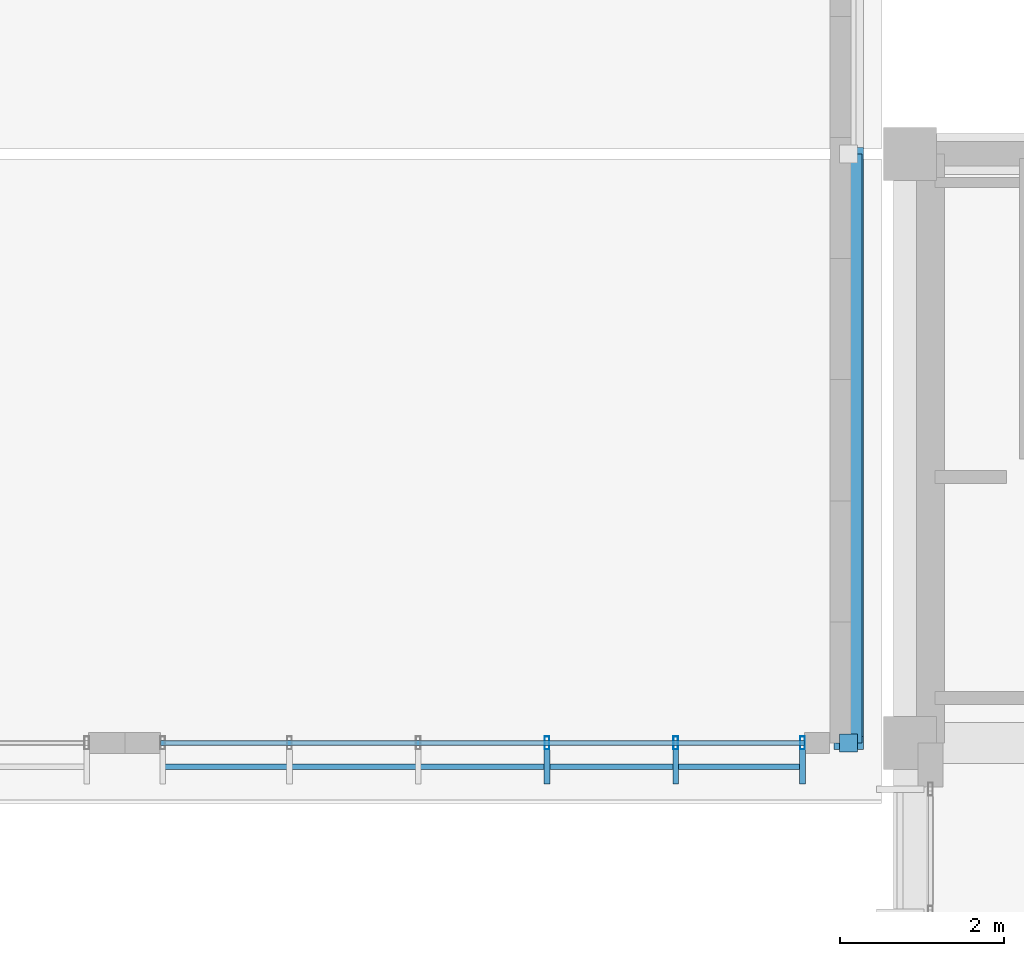
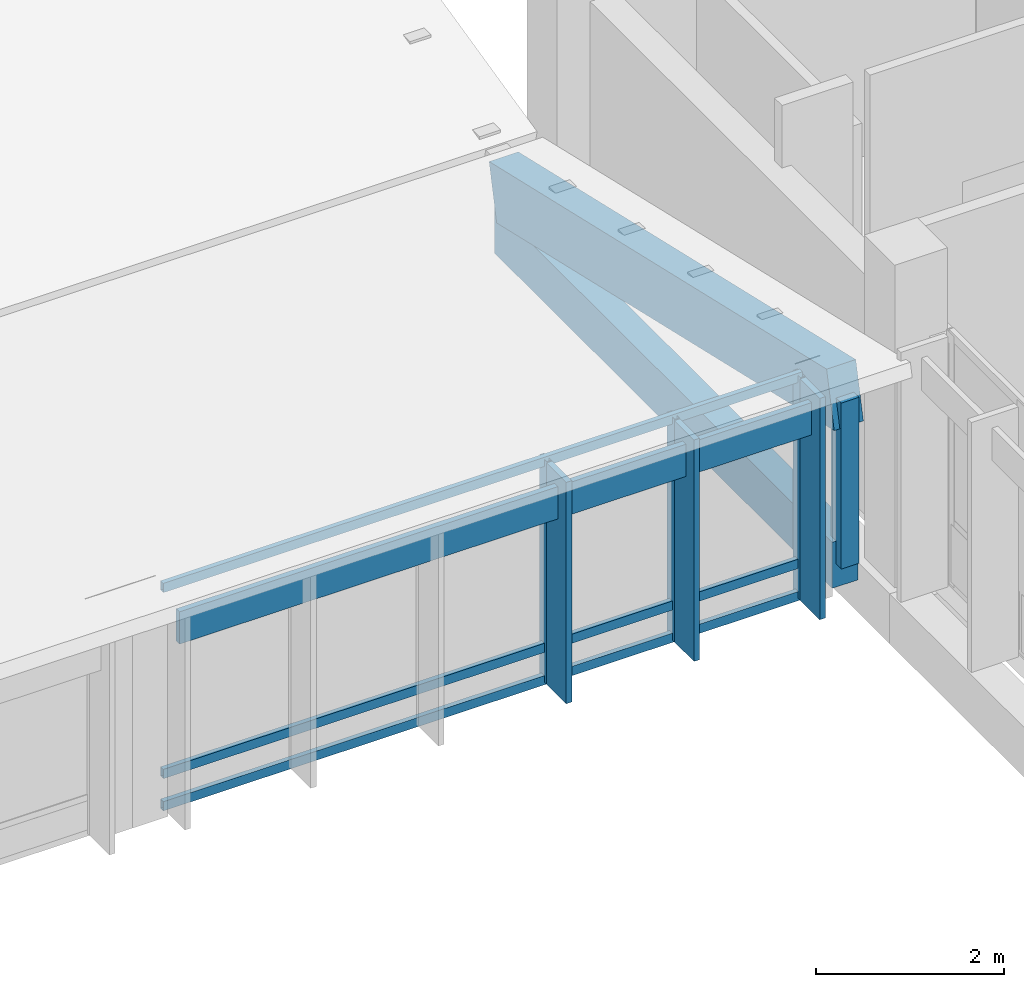
# One storey, part 55 of 182: 13 members, 1 element without a shape of its own.
"""IFC4 building model written with IfcOpenShell, lengths in metres."""

from ifc_helpers import new_model, si_unit, direction, frame, origin, origin_2d, place, context, subcontext, project, spatial, rectangle, hollow_rectangle, extrude, material, material_profile, profile_set, type_object, element, aggregate, save


model = new_model("IFC4")

# Units and contexts
model_context = context("Model", 3, precision=1e-05, world=origin(), true_north=direction((0.0, 1.0)))
body_context = subcontext(model_context, "Body", "Model", "MODEL_VIEW")
ifc_project = project(units=[si_unit("LENGTHUNIT", "METRE"), si_unit("AREAUNIT", "SQUARE_METRE"), si_unit("VOLUMEUNIT", "CUBIC_METRE"), si_unit("PLANEANGLEUNIT", "RADIAN"), si_unit("MASSUNIT", "GRAM", prefix="KILO")], contexts=[model_context])

# Site, building, storey
site_placement = place(None, origin())
site = spatial("IfcSite", under=ifc_project, at=site_placement, CompositionType="ELEMENT")
building_placement = place(site_placement, origin())
building = spatial("IfcBuilding", under=site, at=building_placement, Name="Chiffa Square Polytechnic", CompositionType="ELEMENT")
storey_placement = place(building_placement, frame((0.0, 0.0, 9.60009765625)))
storey = spatial("IfcBuildingStorey", under=building, at=storey_placement, Name="L02", CompositionType="ELEMENT", Elevation=9.60009765625)

# Curtain wall, members
ifc_material_1 = material(Name="Aluminium EN AW-6060 T66 and glulam shading", Category="wood")
curtain_wall_type = type_object("IfcCurtainWallType", Name="CW-VERT-540X440", PredefinedType="USERDEFINED", material=ifc_material_1)
curtain_wall_placement = place(storey_placement, origin())
curtain_wall = element("IfcCurtainWall", 1, at=curtain_wall_placement, inside=storey, type_object=curtain_wall_type, Name="Curtain wall CW-V4-CLRS-07", ObjectType="CURTAIN WALL", PredefinedType="USERDEFINED")
ifc_material_2 = material(Name="Aluminium EN AW-6060 T66", Category="aluminium")
ifc_material_profile_1 = material_profile(ifc_material_2, hollow_rectangle(XDim=0.06005859375, YDim=0.159912109375, WallThickness=0.00390625, at=origin_2d()), Name="ALU 60x160x4")
ifc_profile_set_1 = profile_set([ifc_material_profile_1], Name="Aluminium EN AW-6060 T66")
member_type_1 = type_object("IfcMemberType", Name="CWM-ALU-65X150", PredefinedType="MULLION", material=ifc_profile_set_1)
member_1_placement = place(storey_placement, frame((107.761962890625, 21.60009765625, 0.039794921875), z_axis=(0.0, 0.0, 1.0), x_axis=(1.0, 0.0, 0.0)))
member_1 = element("IfcMember", 2, at=member_1_placement, type_object=member_type_1, Name="Curtain wall mullion CW-V4-CLRS-07-M03", PredefinedType="MULLION", context=body_context, shape_type="SweptSolid", body=[
    extrude(hollow_rectangle(XDim=0.06005859375, YDim=0.159912109375, WallThickness=0.00390625, at=origin_2d()), origin(), (0.0, 0.0, 1.0), 2.902099609375),
])
member_2_placement = place(storey_placement, frame((109.3359375, 21.60009765625, 0.039794921875), z_axis=(0.0, 0.0, 1.0), x_axis=(1.0, 0.0, 0.0)))
member_2 = element("IfcMember", 3, at=member_2_placement, type_object=member_type_1, Name="Curtain wall mullion CW-V4-CLRS-07-M04", PredefinedType="MULLION", context=body_context, shape_type="SweptSolid", body=[
    extrude(hollow_rectangle(XDim=0.06005859375, YDim=0.159912109375, WallThickness=0.00390625, at=origin_2d()), origin(), (0.0, 0.0, 1.0), 2.902099609375),
])
member_3_placement = place(storey_placement, frame((110.885009765625, 21.60009765625, 0.039794921875), z_axis=(0.0, 0.0, 1.0), x_axis=(1.0, 0.0, 0.0)))
member_3 = element("IfcMember", 4, at=member_3_placement, type_object=member_type_1, Name="Curtain wall mullion CW-V4-CLRS-07-M05", PredefinedType="MULLION", context=body_context, shape_type="SweptSolid", body=[
    extrude(hollow_rectangle(XDim=0.06005859375, YDim=0.159912109375, WallThickness=0.00390625, at=origin_2d()), origin(), (0.0, 0.0, 1.0), 2.902099609375),
])
ifc_material_3 = material(Name="Glulam GL28h", Category="wood")
ifc_material_profile_2 = material_profile(ifc_material_3, rectangle(XDim=0.070068359375, YDim=0.419921875, at=origin_2d()), Name="GL28h 70x420")
ifc_profile_set_2 = profile_set([ifc_material_profile_2], Name="Glulam GL28h")
member_type_2 = type_object("IfcMemberType", Name="CWM-GL-70X420", PredefinedType="MULLION", material=ifc_profile_set_2)
member_4_placement = place(storey_placement, frame((107.761962890625, 21.30810546875, 0.0498046875), z_axis=(0.0, 0.0, 1.0), x_axis=(1.0, 0.0, 0.0)))
member_4 = element("IfcMember", 5, at=member_4_placement, type_object=member_type_2, Name="Exterior glulam solar fin CW-V4-CLRS-07-FN03", PredefinedType="MULLION", context=body_context, shape_type="SweptSolid", body=[
    extrude(rectangle(XDim=0.070068359375, YDim=0.419921875, at=origin_2d()), origin(), (0.0, 0.0, 1.0), 2.882080078125),
])
member_5_placement = place(storey_placement, frame((109.3359375, 21.30810546875, 0.0498046875), z_axis=(0.0, 0.0, 1.0), x_axis=(1.0, 0.0, 0.0)))
member_5 = element("IfcMember", 6, at=member_5_placement, type_object=member_type_2, Name="Exterior glulam solar fin CW-V4-CLRS-07-FN04", PredefinedType="MULLION", context=body_context, shape_type="SweptSolid", body=[
    extrude(rectangle(XDim=0.070068359375, YDim=0.419921875, at=origin_2d()), origin(), (0.0, 0.0, 1.0), 2.882080078125),
])
member_6_placement = place(storey_placement, frame((110.885009765625, 21.30810546875, 0.0498046875), z_axis=(0.0, 0.0, 1.0), x_axis=(1.0, 0.0, 0.0)))
member_6 = element("IfcMember", 7, at=member_6_placement, type_object=member_type_2, Name="Exterior glulam solar fin CW-V4-CLRS-07-FN05", PredefinedType="MULLION", context=body_context, shape_type="SweptSolid", body=[
    extrude(rectangle(XDim=0.070068359375, YDim=0.419921875, at=origin_2d()), origin(), (0.0, 0.0, 1.0), 2.882080078125),
])
ifc_material_profile_3 = material_profile(ifc_material_2, hollow_rectangle(XDim=0.06005859375, YDim=0.1201171875, WallThickness=0.00390625, at=origin_2d()), Name="ALU 60x120x4")
ifc_profile_set_3 = profile_set([ifc_material_profile_3], Name="Aluminium EN AW-6060 T66")
member_type_3 = type_object("IfcMemberType", Name="CWT-ALU-65X120", PredefinedType="USERDEFINED", material=ifc_profile_set_3)
member_7_placement = place(storey_placement, frame((103.0380859375, 21.60009765625, 0.06982421875), z_axis=(1.0, 0.0, 0.0), x_axis=(0.0, 1.0, 0.0)))
member_7 = element("IfcMember", 8, at=member_7_placement, type_object=member_type_3, Name="Curtain wall transom CW-V4-CLRS-07-T01", ObjectType="TRANSOM", PredefinedType="USERDEFINED", context=body_context, shape_type="SweptSolid", body=[
    extrude(hollow_rectangle(XDim=0.06005859375, YDim=0.1201171875, WallThickness=0.00390625, at=origin_2d()), origin(), (0.0, 0.0, 1.0), 7.8740234375),
])
member_8_placement = place(storey_placement, frame((103.0380859375, 21.60009765625, 0.489990234375), z_axis=(1.0, 0.0, 0.0), x_axis=(0.0, 1.0, 0.0)))
member_8 = element("IfcMember", 9, at=member_8_placement, type_object=member_type_3, Name="Curtain wall transom CW-V4-CLRS-07-T02", ObjectType="TRANSOM", PredefinedType="USERDEFINED", context=body_context, shape_type="SweptSolid", body=[
    extrude(hollow_rectangle(XDim=0.06005859375, YDim=0.1201171875, WallThickness=0.00390625, at=origin_2d()), origin(), (0.0, 0.0, 1.0), 7.8740234375),
])
member_9_placement = place(storey_placement, frame((103.0380859375, 21.60009765625, 2.911865234375), z_axis=(1.0, 0.0, 0.0), x_axis=(0.0, 1.0, 0.0)))
member_9 = element("IfcMember", 10, at=member_9_placement, type_object=member_type_3, Name="Curtain wall transom CW-V4-CLRS-07-T03", ObjectType="TRANSOM", PredefinedType="USERDEFINED", context=body_context, shape_type="SweptSolid", body=[
    extrude(hollow_rectangle(XDim=0.06005859375, YDim=0.1201171875, WallThickness=0.00390625, at=origin_2d()), origin(), (0.0, 0.0, 1.0), 7.8740234375),
])
ifc_material_profile_4 = material_profile(ifc_material_3, rectangle(XDim=0.070068359375, YDim=0.419921875, at=origin_2d()), Name="GL28h 70x420")
ifc_profile_set_4 = profile_set([ifc_material_profile_4], Name="Glulam GL28h")
member_type_4 = type_object("IfcMemberType", Name="CWT-GL-70X420", PredefinedType="USERDEFINED", material=ifc_profile_set_4)
member_10_placement = place(storey_placement, frame((103.06494140625, 21.30810546875, 2.56201171875), z_axis=(1.0, 0.0, 0.0), x_axis=(0.0, 1.0, 0.0)))
member_10 = element("IfcMember", 11, at=member_10_placement, type_object=member_type_4, Name="Exterior glulam brise-soleil CW-V4-CLRS-07-BS01", ObjectType="TRANSOM", PredefinedType="USERDEFINED", context=body_context, shape_type="SweptSolid", body=[
    extrude(rectangle(XDim=0.070068359375, YDim=0.419921875, at=origin_2d()), origin(), (0.0, 0.0, 1.0), 7.820068359375),
])
aggregate(curtain_wall, [member_1, member_4, member_2, member_5, member_3, member_6, member_7, member_8, member_9, member_10])

# Members
ifc_material_4 = material(Name="Glulam GL32c", Category="wood")
ifc_material_profile_5 = material_profile(ifc_material_4, rectangle(XDim=0.320068359375, YDim=0.60009765625, at=origin_2d()), Name="GL32c 320x600")
ifc_profile_set_5 = profile_set([ifc_material_profile_5], Name="Glulam GL32c")
member_type_5 = type_object("IfcMemberType", Name="MEM-CHORD-GL320", PredefinedType="CHORD", material=ifc_profile_set_5)
member_11_placement = place(storey_placement, frame((111.449951171875, 21.60009765625, 0.2998046875), z_axis=(0.0, 1.0, 0.0), x_axis=(-1.0, 0.0, 0.0)))
element("IfcMember", 12, at=member_11_placement, inside=storey, type_object=member_type_5, Name="Refectory butterfly bottom chord TCB-V4-S08", PredefinedType="CHORD", context=body_context, shape_type="SweptSolid", body=[
    extrude(rectangle(XDim=0.320068359375, YDim=0.60009765625, at=origin_2d()), origin(), (0.0, 0.0, 1.0), 7.199951171875),
])
ifc_material_profile_6 = material_profile(ifc_material_4, rectangle(XDim=0.360107421875, YDim=0.719970703125, at=origin_2d()), Name="GL32c 360x720")
ifc_profile_set_6 = profile_set([ifc_material_profile_6], Name="Glulam GL32c")
member_type_6 = type_object("IfcMemberType", Name="MEM-CHORD-GL360", PredefinedType="CHORD", material=ifc_profile_set_6)
member_12_placement = place(storey_placement, frame((111.449951171875, 21.60009765625, 2.4619140625), z_axis=(0.0, 0.974373930506, -0.224934309412), x_axis=(-1.0, 0.0, 0.0)))
element("IfcMember", 13, at=member_12_placement, inside=storey, type_object=member_type_6, Name="Refectory butterfly top chord TCT-V4-S08", PredefinedType="CHORD", context=body_context, shape_type="SweptSolid", body=[
    extrude(rectangle(XDim=0.360107421875, YDim=0.719970703125, at=origin_2d()), origin(), (0.0, 0.0, 1.0), 7.389404296875),
])
ifc_material_profile_7 = material_profile(ifc_material_3, rectangle(XDim=0.219970703125, YDim=0.219970703125, at=origin_2d()), Name="GL28h 220x220")
ifc_profile_set_7 = profile_set([ifc_material_profile_7], Name="Glulam GL28h")
member_type_7 = type_object("IfcMemberType", Name="MEM-WEB-GL220", PredefinedType="MEMBER", material=ifc_profile_set_7)
member_13_placement = place(storey_placement, frame((111.449951171875, 21.60009765625, 0.2998046875), z_axis=(0.0, 0.0, 1.0), x_axis=(1.0, 0.0, 0.0)))
element("IfcMember", 14, at=member_13_placement, inside=storey, type_object=member_type_7, Name="Refectory butterfly vertical TWV-V4-S08-1", PredefinedType="MEMBER", context=body_context, shape_type="SweptSolid", body=[
    extrude(rectangle(XDim=0.219970703125, YDim=0.219970703125, at=origin_2d()), origin(), (0.0, 0.0, 1.0), 2.162109375),
])

save(model, "model.ifc")
